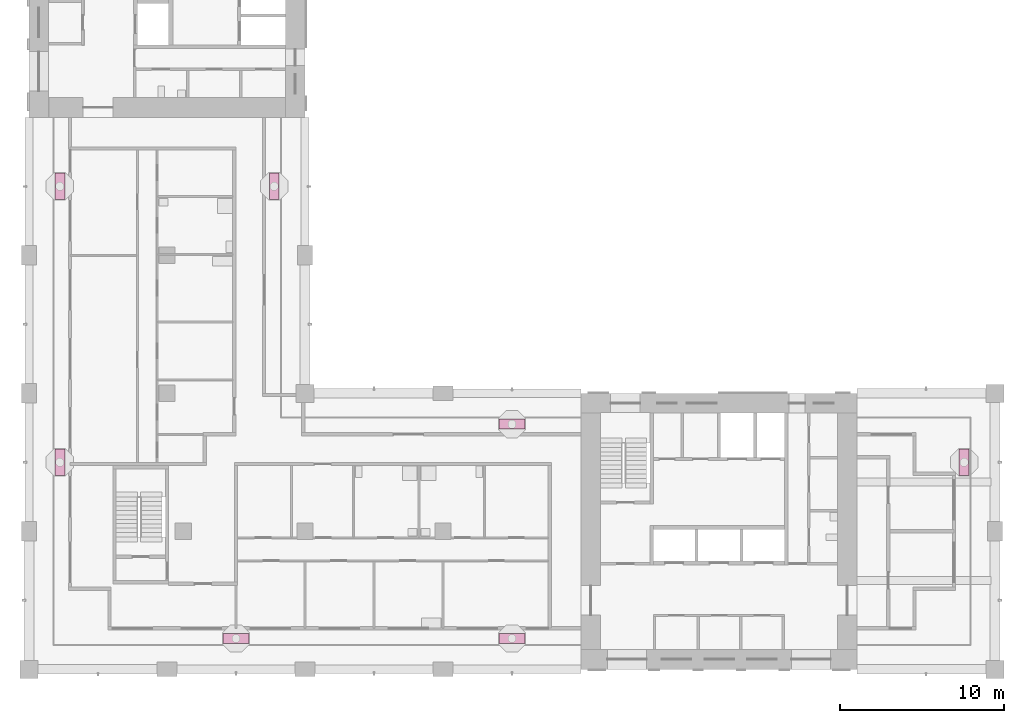
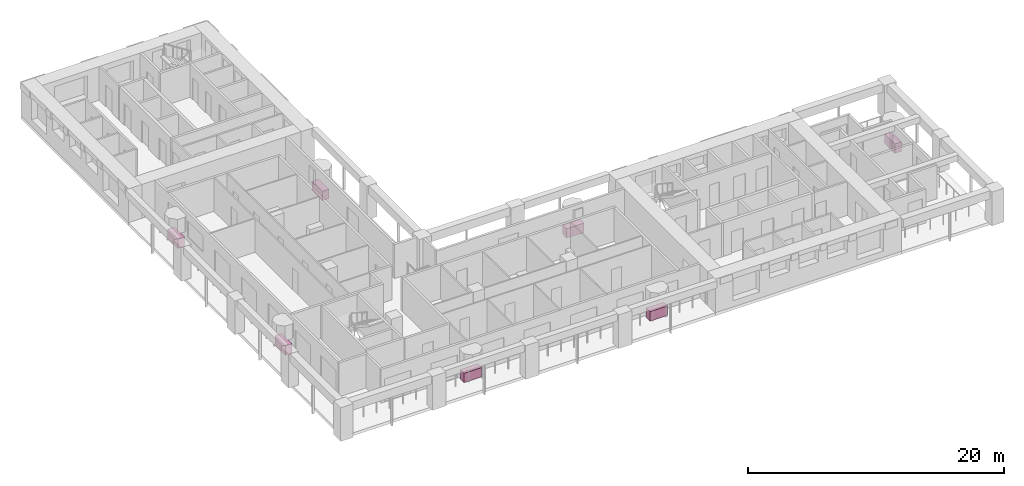
# One storey, part 12 of 13: 7 furniture elements.
"""IFC4 building model written with IfcOpenShell, lengths in metres."""

from ifc_helpers import new_model, si_unit, direction, frame, origin, origin_2d, place, context, subcontext, project, spatial, rectangle, extrude, material, element, save


model = new_model("IFC4")

# Units and contexts
model_context = context("Model", 3, precision=1e-05, world=origin(), true_north=direction((0.0, 1.0)))
body_context = subcontext(model_context, "Body", "Model", "MODEL_VIEW")
ifc_project = project(units=[si_unit("LENGTHUNIT", "METRE"), si_unit("AREAUNIT", "SQUARE_METRE"), si_unit("VOLUMEUNIT", "CUBIC_METRE"), si_unit("PLANEANGLEUNIT", "RADIAN"), si_unit("MASSUNIT", "GRAM", prefix="KILO")], contexts=[model_context])

# Site, building, storey
site_placement = place(None, origin())
site = spatial("IfcSite", under=ifc_project, at=site_placement, CompositionType="ELEMENT")
building_placement = place(site_placement, origin())
building = spatial("IfcBuilding", under=site, at=building_placement, Name="Vermilion Gate Residences", CompositionType="ELEMENT")
storey_placement = place(building_placement, frame((0.0, 0.0, 196.699951171875)))
storey = spatial("IfcBuildingStorey", under=building, at=storey_placement, Name="L51", CompositionType="ELEMENT", Elevation=196.699951171875)

# Furniture
ifc_material = material(Name="Terracotta planter", Category="masonry")
for number, where, z_axis, x_axis, name in (
    (1, (21.0, 10.27490234375, 0.0), (0.0, 0.0, 1.0), (1.0, 0.0, 0.0), "PLANTER"),
    (2, (37.800048828125, 10.27490234375, 0.0), (0.0, 0.0, 1.0), (1.0, 0.0, 0.0), "PLANTER"),
    (3, (65.324951171875, 21.0, 0.0), (0.0, 0.0, 1.0), (0.0, 1.0, 0.0), "PLANTER"),
    (4, (37.800048828125, 23.324951171875, 0.0), (0.0, 0.0, 1.0), (-1.0, 0.0, 0.0), "PLANTER"),
    (5, (23.324951171875, 37.800048828125, 0.0), (0.0, 0.0, 1.0), (0.0, 1.0, 0.0), "PLANTER"),
    (6, (10.27490234375, 21.0, 0.0), (0.0, 0.0, 1.0), (0.0, -1.0, 0.0), "PLANTER"),
    (7, (10.27490234375, 37.800048828125, 0.0), (0.0, 0.0, 1.0), (0.0, -1.0, 0.0), "PLANTER"),
):
    element("IfcFurniture", number, at=place(storey_placement, frame(where, z_axis=z_axis, x_axis=x_axis)), inside=storey, material=ifc_material, Name=name, ObjectType="PLANTER", PredefinedType="USERDEFINED", context=body_context, shape_type="SweptSolid", body=[
        extrude(rectangle(XDim=1.60009765625, YDim=0.60009765625, at=origin_2d()), origin(), (0.0, 0.0, 1.0), 0.89990234375),
    ])

save(model, "model.ifc")
